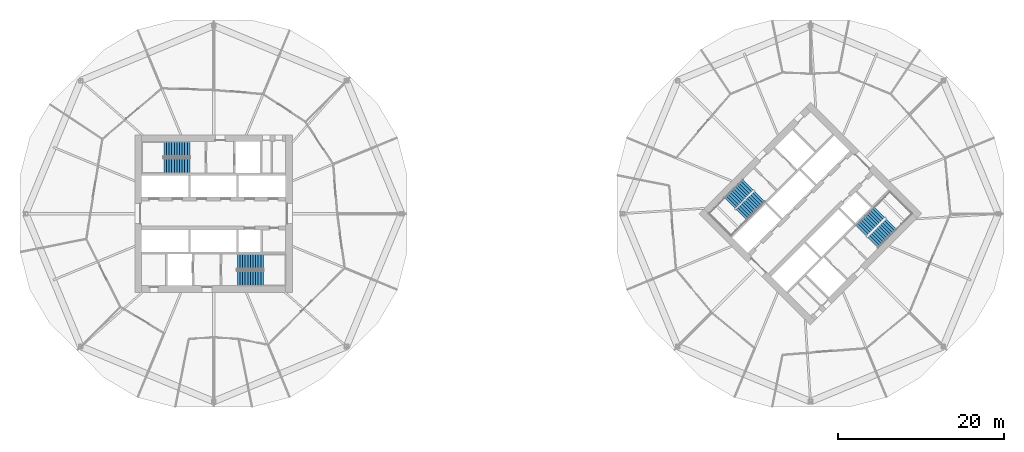
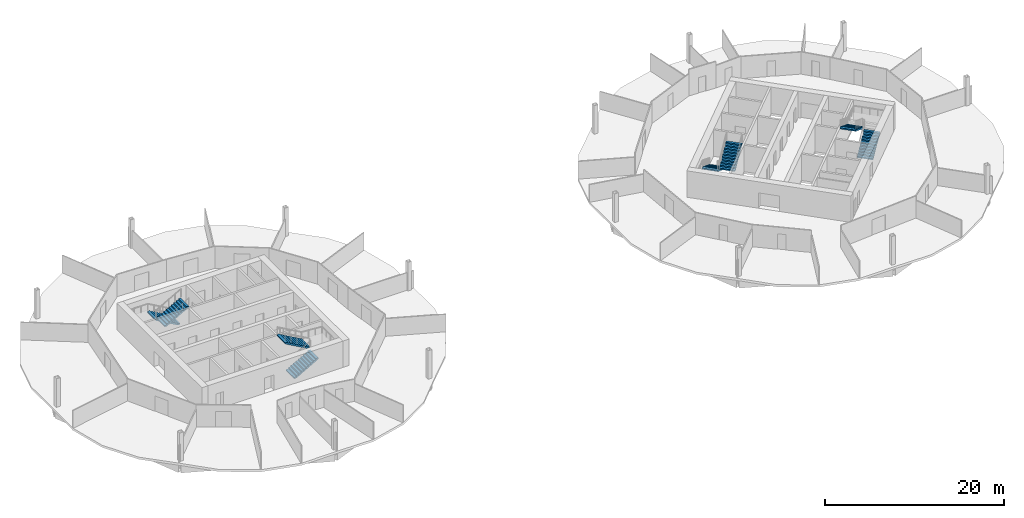
# One storey, part 8 of 9: 8 stair flights, 4 elements without a shape of their own.
"""IFC4 building model written with IfcOpenShell, lengths in metres."""

from ifc_helpers import new_model, si_unit, direction, frame, origin, place, context, subcontext, project, spatial, polyline, outline, extrude, material, type_object, element, aggregate, save


model = new_model("IFC4")

# Units and contexts
model_context = context("Model", 3, precision=1e-05, world=origin(), true_north=direction((0.0, 1.0)))
body_context = subcontext(model_context, "Body", "Model", "MODEL_VIEW")
ifc_project = project(units=[si_unit("LENGTHUNIT", "METRE"), si_unit("AREAUNIT", "SQUARE_METRE"), si_unit("VOLUMEUNIT", "CUBIC_METRE"), si_unit("PLANEANGLEUNIT", "RADIAN"), si_unit("MASSUNIT", "GRAM", prefix="KILO")], contexts=[model_context])

# Site, building, storey
site_placement = place(None, origin())
site = spatial("IfcSite", under=ifc_project, at=site_placement, CompositionType="ELEMENT")
building_placement = place(site_placement, origin())
building = spatial("IfcBuilding", under=site, at=building_placement, Name="Ogive Gate Towers", CompositionType="ELEMENT")
storey_placement = place(building_placement, frame((0.0, 0.0, 80.10009765625)))
storey = spatial("IfcBuildingStorey", under=building, at=storey_placement, Name="L18", CompositionType="ELEMENT", Elevation=80.10009765625)

# Stair, stair flights
ifc_material = material(Name="Concrete C40/50", Category="concrete")
stair_type = type_object("IfcStairType", Name="Escape stair 1840 wide", PredefinedType="HALF_TURN_STAIR", material=ifc_material)
stair_1_placement = place(storey_placement, origin())
stair_1 = element("IfcStair", 1, at=stair_1_placement, inside=storey, type_object=stair_type, Name="L18 Escape stair 1", PredefinedType="HALF_TURN_STAIR")
stair_flight_type = type_object("IfcStairFlightType", Name="Stair flight 1840 wide", PredefinedType="STRAIGHT", material=ifc_material)
stair_flight_1_placement = place(storey_placement, frame((-38.864990234375, 7.780029296875, 0.0), z_axis=(0.0, 0.0, 1.0), x_axis=(-1.0, 0.0, 0.0)))
stair_flight_1 = element("IfcStairFlight", 2, at=stair_flight_1_placement, type_object=stair_flight_type, Name="ST1 flight 1", NumberOfRisers=11, NumberOfTreads=10, PredefinedType="STRAIGHT", RiserHeight=0.177272727, TreadLength=0.313636364, context=body_context, shape_type="SweptSolid", body=[
    extrude(outline(polyline([(0.0, 0.0), (0.0, 0.17724609375), (0.313720703125, 0.17724609375), (0.313720703125, 0.3544921875), (0.627197265625, 0.3544921875), (0.627197265625, 0.53173828125), (0.94091796875, 0.53173828125), (0.94091796875, 0.708984375), (1.254638671875, 0.708984375), (1.254638671875, 0.886474609375), (1.568115234375, 0.886474609375), (1.568115234375, 1.063720703125), (1.8818359375, 1.063720703125), (1.8818359375, 1.240966796875), (2.195556640625, 1.240966796875), (2.195556640625, 1.418212890625), (2.509033203125, 1.418212890625), (2.509033203125, 1.595458984375), (2.82275390625, 1.595458984375), (2.82275390625, 1.772705078125), (3.136474609375, 1.772705078125), (3.136474609375, 1.949951171875), (3.136474609375, 1.6005859375), (0.3046875, 0.0), (0.0, 0.0)])), frame((0.0, 0.919921875, 0.0), z_axis=(0.0, -1.0, 0.0), x_axis=(1.0, 0.0, 0.0)), (0.0, 0.0, 1.0), 1.840087890625),
])
stair_flight_2_placement = place(storey_placement, frame((-42.00146484375, 5.794921875, 1.949951171875), z_axis=(0.0, 0.0, 1.0), x_axis=(1.0, 0.0, 0.0)))
stair_flight_2 = element("IfcStairFlight", 3, at=stair_flight_2_placement, type_object=stair_flight_type, Name="ST1 flight 2", NumberOfRisers=11, NumberOfTreads=10, PredefinedType="STRAIGHT", RiserHeight=0.177272727, TreadLength=0.313636364, context=body_context, shape_type="SweptSolid", body=[
    extrude(outline(polyline([(0.0, 0.0), (0.0, 0.17724609375), (0.313720703125, 0.17724609375), (0.313720703125, 0.3544921875), (0.627197265625, 0.3544921875), (0.627197265625, 0.53173828125), (0.94091796875, 0.53173828125), (0.94091796875, 0.708984375), (1.254638671875, 0.708984375), (1.254638671875, 0.886474609375), (1.568115234375, 0.886474609375), (1.568115234375, 1.063720703125), (1.8818359375, 1.063720703125), (1.8818359375, 1.240966796875), (2.195556640625, 1.240966796875), (2.195556640625, 1.418212890625), (2.509033203125, 1.418212890625), (2.509033203125, 1.595458984375), (2.82275390625, 1.595458984375), (2.82275390625, 1.772705078125), (3.136474609375, 1.772705078125), (3.136474609375, 1.949951171875), (3.136474609375, 1.6005859375), (0.3046875, 0.0), (0.0, 0.0)])), frame((0.0, 0.919921875, 0.0), z_axis=(0.0, -1.0, 0.0), x_axis=(1.0, 0.0, 0.0)), (0.0, 0.0, 1.0), 1.840087890625),
])
aggregate(stair_1, [stair_flight_1, stair_flight_2])

stair_2_placement = place(storey_placement, origin())
stair_2 = element("IfcStair", 4, at=stair_2_placement, inside=storey, type_object=stair_type, Name="L18 Escape stair 2", PredefinedType="HALF_TURN_STAIR")
stair_flight_3_placement = place(storey_placement, frame((-33.135009765625, -7.780029296875, 0.0), z_axis=(0.0, 0.0, 1.0), x_axis=(1.0, 0.0, 0.0)))
stair_flight_3 = element("IfcStairFlight", 5, at=stair_flight_3_placement, type_object=stair_flight_type, Name="ST2 flight 1", NumberOfRisers=11, NumberOfTreads=10, PredefinedType="STRAIGHT", RiserHeight=0.177272727, TreadLength=0.313636364, context=body_context, shape_type="SweptSolid", body=[
    extrude(outline(polyline([(0.0, 0.0), (0.0, 0.17724609375), (0.313720703125, 0.17724609375), (0.313720703125, 0.3544921875), (0.627197265625, 0.3544921875), (0.627197265625, 0.53173828125), (0.94091796875, 0.53173828125), (0.94091796875, 0.708984375), (1.254638671875, 0.708984375), (1.254638671875, 0.886474609375), (1.568115234375, 0.886474609375), (1.568115234375, 1.063720703125), (1.8818359375, 1.063720703125), (1.8818359375, 1.240966796875), (2.195556640625, 1.240966796875), (2.195556640625, 1.418212890625), (2.509033203125, 1.418212890625), (2.509033203125, 1.595458984375), (2.82275390625, 1.595458984375), (2.82275390625, 1.772705078125), (3.136474609375, 1.772705078125), (3.136474609375, 1.949951171875), (3.136474609375, 1.6005859375), (0.3046875, 0.0), (0.0, 0.0)])), frame((0.0, 0.919921875, 0.0), z_axis=(0.0, -1.0, 0.0), x_axis=(1.0, 0.0, 0.0)), (0.0, 0.0, 1.0), 1.840087890625),
])
stair_flight_4_placement = place(storey_placement, frame((-29.99853515625, -5.794921875, 1.949951171875), z_axis=(0.0, 0.0, 1.0), x_axis=(-1.0, 0.0, 0.0)))
stair_flight_4 = element("IfcStairFlight", 6, at=stair_flight_4_placement, type_object=stair_flight_type, Name="ST2 flight 2", NumberOfRisers=11, NumberOfTreads=10, PredefinedType="STRAIGHT", RiserHeight=0.177272727, TreadLength=0.313636364, context=body_context, shape_type="SweptSolid", body=[
    extrude(outline(polyline([(0.0, 0.0), (0.0, 0.17724609375), (0.313720703125, 0.17724609375), (0.313720703125, 0.3544921875), (0.627197265625, 0.3544921875), (0.627197265625, 0.53173828125), (0.94091796875, 0.53173828125), (0.94091796875, 0.708984375), (1.254638671875, 0.708984375), (1.254638671875, 0.886474609375), (1.568115234375, 0.886474609375), (1.568115234375, 1.063720703125), (1.8818359375, 1.063720703125), (1.8818359375, 1.240966796875), (2.195556640625, 1.240966796875), (2.195556640625, 1.418212890625), (2.509033203125, 1.418212890625), (2.509033203125, 1.595458984375), (2.82275390625, 1.595458984375), (2.82275390625, 1.772705078125), (3.136474609375, 1.772705078125), (3.136474609375, 1.949951171875), (3.136474609375, 1.6005859375), (0.3046875, 0.0), (0.0, 0.0)])), frame((0.0, 0.919921875, 0.0), z_axis=(0.0, -1.0, 0.0), x_axis=(1.0, 0.0, 0.0)), (0.0, 0.0, 1.0), 1.840087890625),
])
aggregate(stair_2, [stair_flight_3, stair_flight_4])

stair_3_placement = place(storey_placement, origin())
stair_3 = element("IfcStair", 7, at=stair_3_placement, inside=storey, type_object=stair_type, Name="L18 Escape stair 1", PredefinedType="HALF_TURN_STAIR")
stair_flight_5_placement = place(storey_placement, frame((28.472900390625, 3.475341796875, 0.0), z_axis=(0.0, 0.0, 1.0), x_axis=(-0.707106781187, -0.707106781187, 0.0)))
stair_flight_5 = element("IfcStairFlight", 8, at=stair_flight_5_placement, type_object=stair_flight_type, Name="ST1 flight 1", NumberOfRisers=11, NumberOfTreads=10, PredefinedType="STRAIGHT", RiserHeight=0.177272727, TreadLength=0.313636364, context=body_context, shape_type="SweptSolid", body=[
    extrude(outline(polyline([(0.0, 0.0), (0.0, 0.17724609375), (0.313720703125, 0.17724609375), (0.313720703125, 0.3544921875), (0.627197265625, 0.3544921875), (0.627197265625, 0.53173828125), (0.94091796875, 0.53173828125), (0.94091796875, 0.708984375), (1.254638671875, 0.708984375), (1.254638671875, 0.886474609375), (1.568115234375, 0.886474609375), (1.568115234375, 1.063720703125), (1.8818359375, 1.063720703125), (1.8818359375, 1.240966796875), (2.195556640625, 1.240966796875), (2.195556640625, 1.418212890625), (2.509033203125, 1.418212890625), (2.509033203125, 1.595458984375), (2.82275390625, 1.595458984375), (2.82275390625, 1.772705078125), (3.136474609375, 1.772705078125), (3.136474609375, 1.949951171875), (3.136474609375, 1.6005859375), (0.3046875, 0.0), (0.0, 0.0)])), frame((0.0, 0.919921875, 0.0), z_axis=(0.0, -1.0, 0.0), x_axis=(1.0, 0.0, 0.0)), (0.0, 0.0, 1.0), 1.840087890625),
])
stair_flight_6_placement = place(storey_placement, frame((27.65869140625, -0.14599609375, 1.949951171875), z_axis=(0.0, 0.0, 1.0), x_axis=(0.707106781187, 0.707106781187, 0.0)))
stair_flight_6 = element("IfcStairFlight", 9, at=stair_flight_6_placement, type_object=stair_flight_type, Name="ST1 flight 2", NumberOfRisers=11, NumberOfTreads=10, PredefinedType="STRAIGHT", RiserHeight=0.177272727, TreadLength=0.313636364, context=body_context, shape_type="SweptSolid", body=[
    extrude(outline(polyline([(0.0, 0.0), (0.0, 0.17724609375), (0.313720703125, 0.17724609375), (0.313720703125, 0.3544921875), (0.627197265625, 0.3544921875), (0.627197265625, 0.53173828125), (0.94091796875, 0.53173828125), (0.94091796875, 0.708984375), (1.254638671875, 0.708984375), (1.254638671875, 0.886474609375), (1.568115234375, 0.886474609375), (1.568115234375, 1.063720703125), (1.8818359375, 1.063720703125), (1.8818359375, 1.240966796875), (2.195556640625, 1.240966796875), (2.195556640625, 1.418212890625), (2.509033203125, 1.418212890625), (2.509033203125, 1.595458984375), (2.82275390625, 1.595458984375), (2.82275390625, 1.772705078125), (3.136474609375, 1.772705078125), (3.136474609375, 1.949951171875), (3.136474609375, 1.6005859375), (0.3046875, 0.0), (0.0, 0.0)])), frame((0.0, 0.919921875, 0.0), z_axis=(0.0, -1.0, 0.0), x_axis=(1.0, 0.0, 0.0)), (0.0, 0.0, 1.0), 1.840087890625),
])
aggregate(stair_3, [stair_flight_5, stair_flight_6])

stair_4_placement = place(storey_placement, origin())
stair_4 = element("IfcStair", 10, at=stair_4_placement, inside=storey, type_object=stair_type, Name="L18 Escape stair 2", PredefinedType="HALF_TURN_STAIR")
stair_flight_7_placement = place(storey_placement, frame((43.527099609375, -3.475341796875, 0.0), z_axis=(0.0, 0.0, 1.0), x_axis=(0.707106781187, 0.707106781187, 0.0)))
stair_flight_7 = element("IfcStairFlight", 11, at=stair_flight_7_placement, type_object=stair_flight_type, Name="ST2 flight 1", NumberOfRisers=11, NumberOfTreads=10, PredefinedType="STRAIGHT", RiserHeight=0.177272727, TreadLength=0.313636364, context=body_context, shape_type="SweptSolid", body=[
    extrude(outline(polyline([(0.0, 0.0), (0.0, 0.17724609375), (0.313720703125, 0.17724609375), (0.313720703125, 0.3544921875), (0.627197265625, 0.3544921875), (0.627197265625, 0.53173828125), (0.94091796875, 0.53173828125), (0.94091796875, 0.708984375), (1.254638671875, 0.708984375), (1.254638671875, 0.886474609375), (1.568115234375, 0.886474609375), (1.568115234375, 1.063720703125), (1.8818359375, 1.063720703125), (1.8818359375, 1.240966796875), (2.195556640625, 1.240966796875), (2.195556640625, 1.418212890625), (2.509033203125, 1.418212890625), (2.509033203125, 1.595458984375), (2.82275390625, 1.595458984375), (2.82275390625, 1.772705078125), (3.136474609375, 1.772705078125), (3.136474609375, 1.949951171875), (3.136474609375, 1.6005859375), (0.3046875, 0.0), (0.0, 0.0)])), frame((0.0, 0.919921875, 0.0), z_axis=(0.0, -1.0, 0.0), x_axis=(1.0, 0.0, 0.0)), (0.0, 0.0, 1.0), 1.840087890625),
])
stair_flight_8_placement = place(storey_placement, frame((44.34130859375, 0.14599609375, 1.949951171875), z_axis=(0.0, 0.0, 1.0), x_axis=(-0.707106781187, -0.707106781187, 0.0)))
stair_flight_8 = element("IfcStairFlight", 12, at=stair_flight_8_placement, type_object=stair_flight_type, Name="ST2 flight 2", NumberOfRisers=11, NumberOfTreads=10, PredefinedType="STRAIGHT", RiserHeight=0.177272727, TreadLength=0.313636364, context=body_context, shape_type="SweptSolid", body=[
    extrude(outline(polyline([(0.0, 0.0), (0.0, 0.17724609375), (0.313720703125, 0.17724609375), (0.313720703125, 0.3544921875), (0.627197265625, 0.3544921875), (0.627197265625, 0.53173828125), (0.94091796875, 0.53173828125), (0.94091796875, 0.708984375), (1.254638671875, 0.708984375), (1.254638671875, 0.886474609375), (1.568115234375, 0.886474609375), (1.568115234375, 1.063720703125), (1.8818359375, 1.063720703125), (1.8818359375, 1.240966796875), (2.195556640625, 1.240966796875), (2.195556640625, 1.418212890625), (2.509033203125, 1.418212890625), (2.509033203125, 1.595458984375), (2.82275390625, 1.595458984375), (2.82275390625, 1.772705078125), (3.136474609375, 1.772705078125), (3.136474609375, 1.949951171875), (3.136474609375, 1.6005859375), (0.3046875, 0.0), (0.0, 0.0)])), frame((0.0, 0.919921875, 0.0), z_axis=(0.0, -1.0, 0.0), x_axis=(1.0, 0.0, 0.0)), (0.0, 0.0, 1.0), 1.840087890625),
])
aggregate(stair_4, [stair_flight_7, stair_flight_8])

save(model, "model.ifc")
